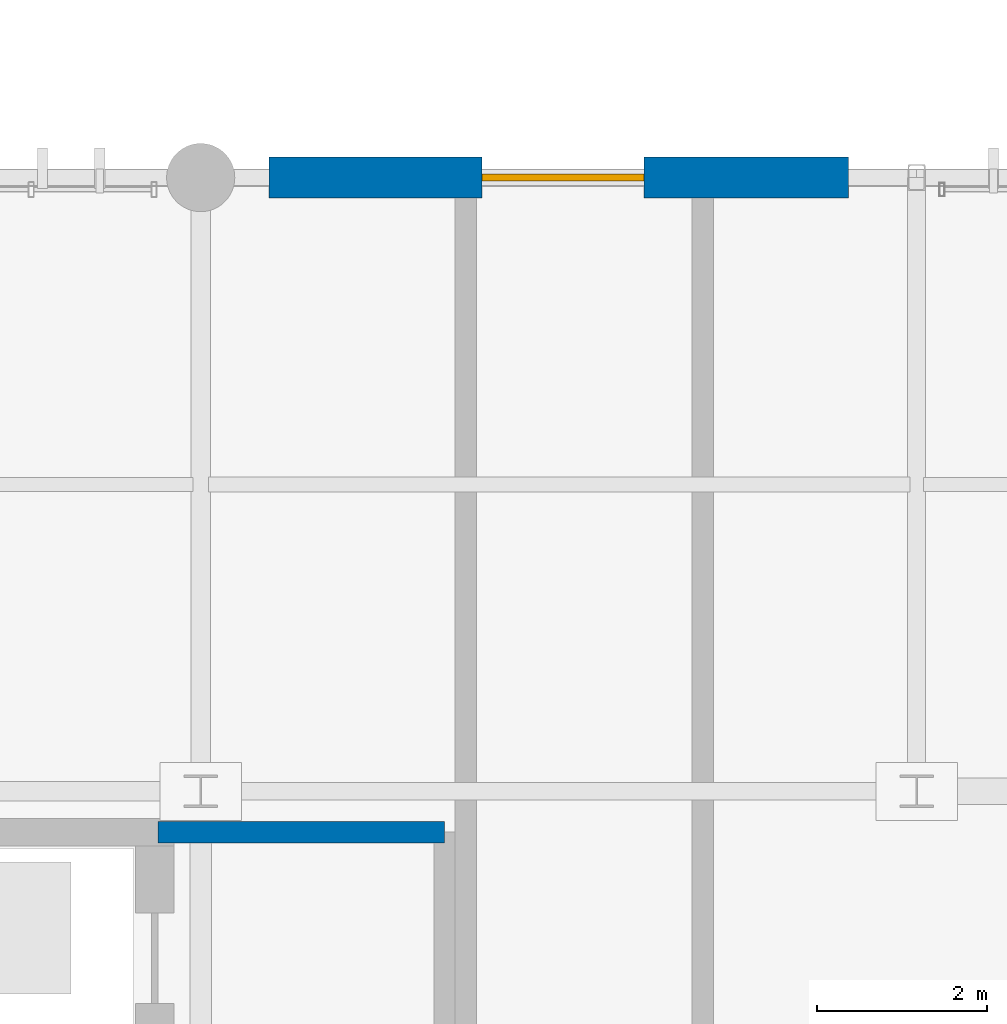
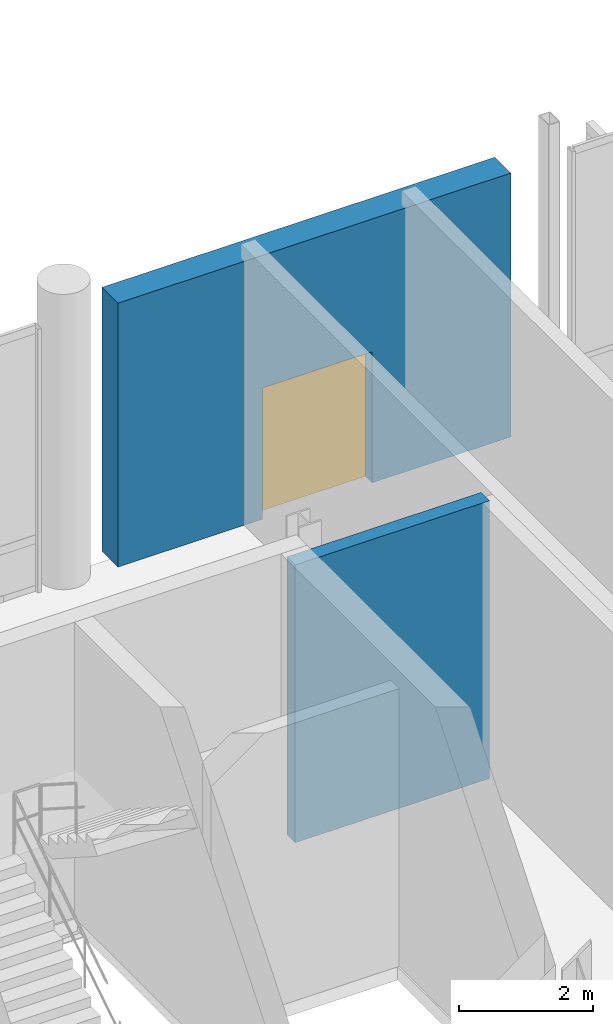
# One storey, part 88 of 112: 2 walls, 1 door, 1 opening.
"""IFC4 building model written with IfcOpenShell, lengths in metres."""

from ifc_helpers import new_model, si_unit, direction, frame, frame_2d, origin_with_axes, place, context, subcontext, project, spatial, rectangle, extrude, material, layer, layer_set, type_object, element, fill, save


model = new_model("IFC4")

# Units and contexts
model_context = context("Model", 3, precision=1e-05, world=origin_with_axes(), true_north=direction((0.0, 1.0)))
body_context = subcontext(model_context, "Body", "Model", "MODEL_VIEW")
ifc_project = project(units=[si_unit("LENGTHUNIT", "METRE"), si_unit("AREAUNIT", "SQUARE_METRE"), si_unit("VOLUMEUNIT", "CUBIC_METRE"), si_unit("PLANEANGLEUNIT", "RADIAN"), si_unit("MASSUNIT", "GRAM", prefix="KILO"), si_unit("THERMODYNAMICTEMPERATUREUNIT", "KELVIN")], contexts=[model_context])

# Site, building, storey
site_placement = place(None, origin_with_axes())
site = spatial("IfcSite", under=ifc_project, at=site_placement, CompositionType="ELEMENT")
building_placement = place(site_placement, origin_with_axes())
building = spatial("IfcBuilding", under=site, at=building_placement, Name="Montbau Bow Law Courts", CompositionType="ELEMENT")
storey_placement = place(building_placement, origin_with_axes())
storey = spatial("IfcBuildingStorey", under=building, at=storey_placement, Name="L00", CompositionType="ELEMENT", Elevation=0.0)

# Wall, opening, door
ifc_material_1 = material(Name="Manitoba Tyndall Limestone on Insulated Concrete Backing CSA A23.1 f'c 35 MPa", Category="masonry")
ifc_layer_1 = layer(ifc_material_1, 0.48, Name="Solid Wall", Category="masonry")
ifc_layer_set_1 = layer_set([ifc_layer_1], Name="Manitoba Tyndall Limestone on Insulated Concrete Backing CSA A23.1 f'c 35 MPa")
wall_type_1 = type_object("IfcWallType", Name="W-EXT-01", PredefinedType="SOLIDWALL", material=ifc_layer_set_1)
wall_1_placement = place(None, frame((64.4, 61.8, 0.0), z_axis=(0.0, 0.0, 1.0), x_axis=(1.0, 0.0, 0.0)))
wall_1 = element("IfcWall", 1, at=wall_1_placement, inside=storey, type_object=wall_type_1, Name="WE-L00-029:wal_0046", PredefinedType="SOLIDWALL", context=body_context, shape_type="SweptSolid", body=[
    extrude(rectangle(XDim=6.799999999999997, YDim=0.48, at=frame_2d((3.4, 0.0), x_axis=(1.0, 0.0))), origin_with_axes(), (0.0, 0.0, 1.0), 4.825),
])
opening_placement = place(None, frame((67.85, 61.8, 0.0), z_axis=(0.0, 0.0, 1.0), x_axis=(1.0, 0.0, 0.0)))
opening = element("IfcOpeningElement", 2, at=opening_placement, cuts=wall_1, Name="OP-D-L00-E11", PredefinedType="OPENING", context=body_context, shape_type="SweptSolid", body=[
    extrude(rectangle(XDim=1.9, YDim=2.4, at=frame_2d((0.0, 1.2), x_axis=(1.0, 0.0))), frame((0.0, 0.25, 0.0), z_axis=(0.0, -1.0, 0.0), x_axis=(1.0, 0.0, 0.0)), (0.0, 0.0, 1.0), 0.5),
])
ifc_material_2 = material(Name="Insulated Hollow-Metal Exit Discharge Door", Category="steel")
door_type = type_object("IfcDoorType", Name="D-EXT-04", OperationType="NOTDEFINED", ParameterTakesPrecedence=False, PredefinedType="DOOR", material=ifc_material_2)
door_placement = place(None, frame((67.85, 61.8, 0.0), z_axis=(0.0, 0.0, 1.0), x_axis=(1.0, 0.0, 0.0)))
door = element("IfcDoor", 3, at=door_placement, inside=storey, type_object=door_type, Name="D-L00-E11:dor_0013", OperationType="DOUBLE_DOOR_SINGLE_SWING", OverallHeight=2.4, OverallWidth=1.9, PredefinedType="DOOR", context=body_context, shape_type="SweptSolid", body=[
    extrude(rectangle(XDim=1.9, YDim=2.4, at=frame_2d((0.0, 1.2), x_axis=(1.0, 0.0))), frame((0.0, 0.04, 0.0), z_axis=(0.0, -1.0, 0.0), x_axis=(1.0, 0.0, 0.0)), (0.0, 0.0, 1.0), 0.08),
])
fill(opening, door)

# Wall
ifc_material_3 = material(Name="2 h Shaft and Exit-Passage Fire Separation Partition", Category="gypsum")
ifc_layer_2 = layer(ifc_material_3, 0.25, Name="Partition", Category="gypsum")
ifc_layer_set_2 = layer_set([ifc_layer_2], Name="2 h Shaft and Exit-Passage Fire Separation Partition")
wall_type_2 = type_object("IfcWallType", Name="W-PRT-01", PredefinedType="PARTITIONING", material=ifc_layer_set_2)
wall_2_placement = place(None, frame((63.1, 54.12, 0.0), z_axis=(0.0, 0.0, 1.0), x_axis=(1.0, 0.0, 0.0)))
element("IfcWall", 4, at=wall_2_placement, inside=storey, type_object=wall_type_2, Name="WEL-L00-0149:wal_0216", PredefinedType="PARTITIONING", context=body_context, shape_type="SweptSolid", body=[
    extrude(rectangle(XDim=3.3599999999999923, YDim=0.25, at=frame_2d((1.68, 0.0), x_axis=(1.0, 0.0))), origin_with_axes(), (0.0, 0.0, 1.0), 5.08),
])

save(model, "model.ifc")
